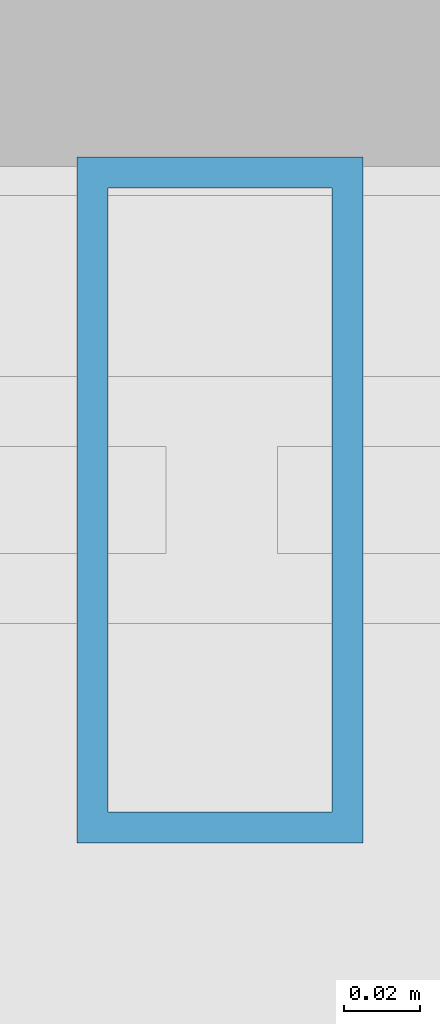
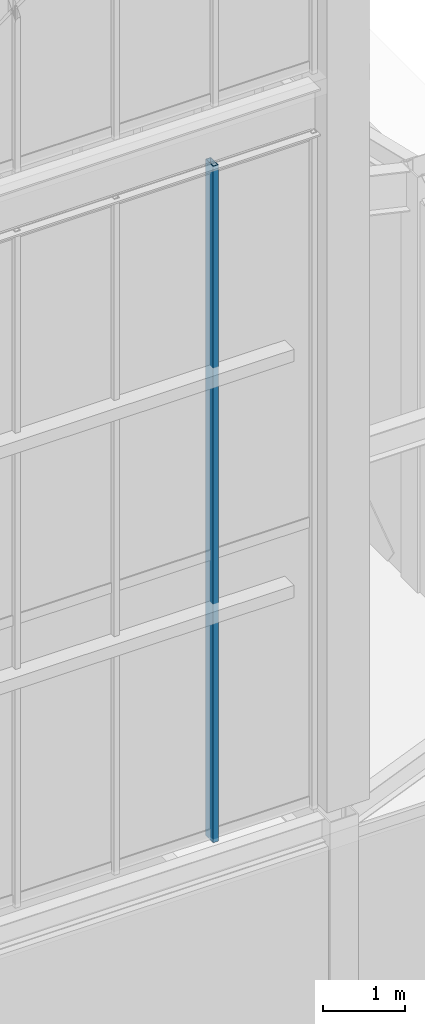
# One storey, part 41 of 135: 1 member, 1 element without a shape of its own.
"""IFC4 building model written with IfcOpenShell, lengths in metres."""

from ifc_helpers import new_model, si_unit, direction, frame, origin, origin_2d, place, context, subcontext, project, spatial, hollow_rectangle, extrude, source, transform, mapped, material, layer, layer_set, material_profile, profile_set, type_object, element, aggregate, save


model = new_model("IFC4")

# Units and contexts
model_context = context("Model", 3, precision=1e-05, world=origin(), true_north=direction((0.0, 1.0)))
body_context = subcontext(model_context, "Body", "Model", "MODEL_VIEW")
ifc_project = project(units=[si_unit("LENGTHUNIT", "METRE"), si_unit("AREAUNIT", "SQUARE_METRE"), si_unit("VOLUMEUNIT", "CUBIC_METRE"), si_unit("PLANEANGLEUNIT", "RADIAN"), si_unit("MASSUNIT", "GRAM", prefix="KILO")], contexts=[model_context])

# Site, building, storey
site_placement = place(None, origin())
site = spatial("IfcSite", under=ifc_project, at=site_placement, CompositionType="ELEMENT")
building_placement = place(site_placement, origin())
building = spatial("IfcBuilding", under=site, at=building_placement, Name="Giltprow Tower", CompositionType="ELEMENT")
storey_placement = place(building_placement, frame((0.0, 0.0, 352.699951171875)))
storey = spatial("IfcBuildingStorey", under=building, at=storey_placement, Name="L92", CompositionType="ELEMENT", Elevation=352.699951171875)

# Curtain wall, member
ifc_material = material(Name="Anodized bronze", Category="metal")
ifc_layer = layer(ifc_material, 0.179931640625, Name="Anodized bronze")
ifc_layer_set = layer_set([ifc_layer], Name="Anodized bronze")
curtain_wall_type = type_object("IfcCurtainWallType", Name="CW-CROWN-LANTERN", PredefinedType="NOTDEFINED", material=ifc_layer_set)
curtain_wall_placement = place(storey_placement, origin())
curtain_wall = element("IfcCurtainWall", 1, at=curtain_wall_placement, inside=storey, type_object=curtain_wall_type, Name="Crown East Lower Lantern Glazing 1", PredefinedType="NOTDEFINED")
ifc_material_profile = material_profile(ifc_material, hollow_rectangle(XDim=0.074951171875, YDim=0.179931640625, WallThickness=0.008056640625, at=origin_2d()), Name="RHS 180x75x8")
ifc_profile_set = profile_set([ifc_material_profile], Name="Anodized bronze")
member_type = type_object("IfcMemberType", Name="CW-MULLION-180x75", PredefinedType="MULLION", material=ifc_profile_set)
shared_shape = source(origin(), body_context, "Body", "SweptSolid", [
    extrude(hollow_rectangle(XDim=0.074951171875, YDim=0.179931640625, WallThickness=0.008056640625, at=origin_2d()), origin(), (0.0, 0.0, 1.0), 10.030029296875),
])
member_placement = place(storey_placement, frame((48.81201171875, 23.5, 6.35009765625), z_axis=(0.0, 0.0, 1.0), x_axis=(1.0, 0.0, 0.0)))
member = element("IfcMember", 2, at=member_placement, type_object=member_type, Name="Crown East Lower Lantern Glazing 1 Mullion 4", PredefinedType="MULLION", context=body_context, shape_type="MappedRepresentation", body=[
    mapped(shared_shape, transform((0.0, 0.0, 0.0), x_axis=(1.0, 0.0, 0.0), y_axis=(0.0, 1.0, 0.0), z_axis=(0.0, 0.0, 1.0), scale=1.0)),
])
aggregate(curtain_wall, [member])

save(model, "model.ifc")
